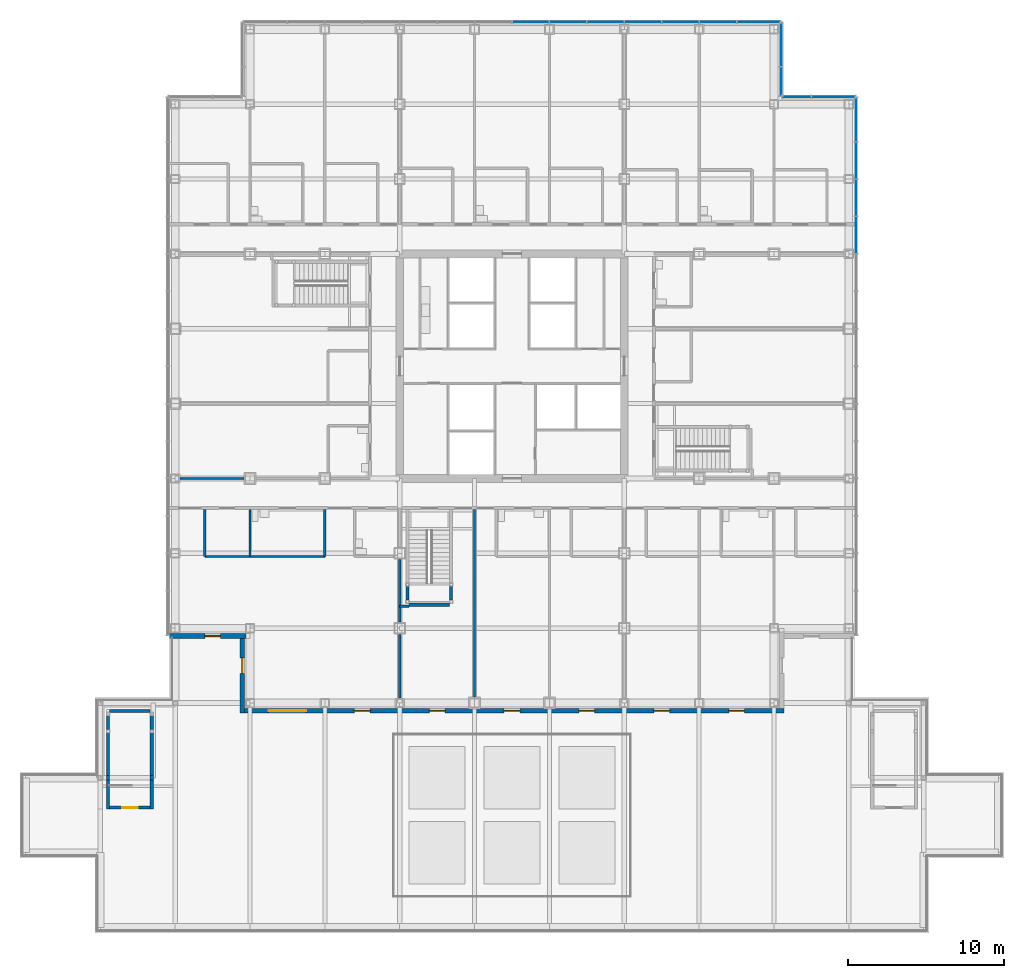
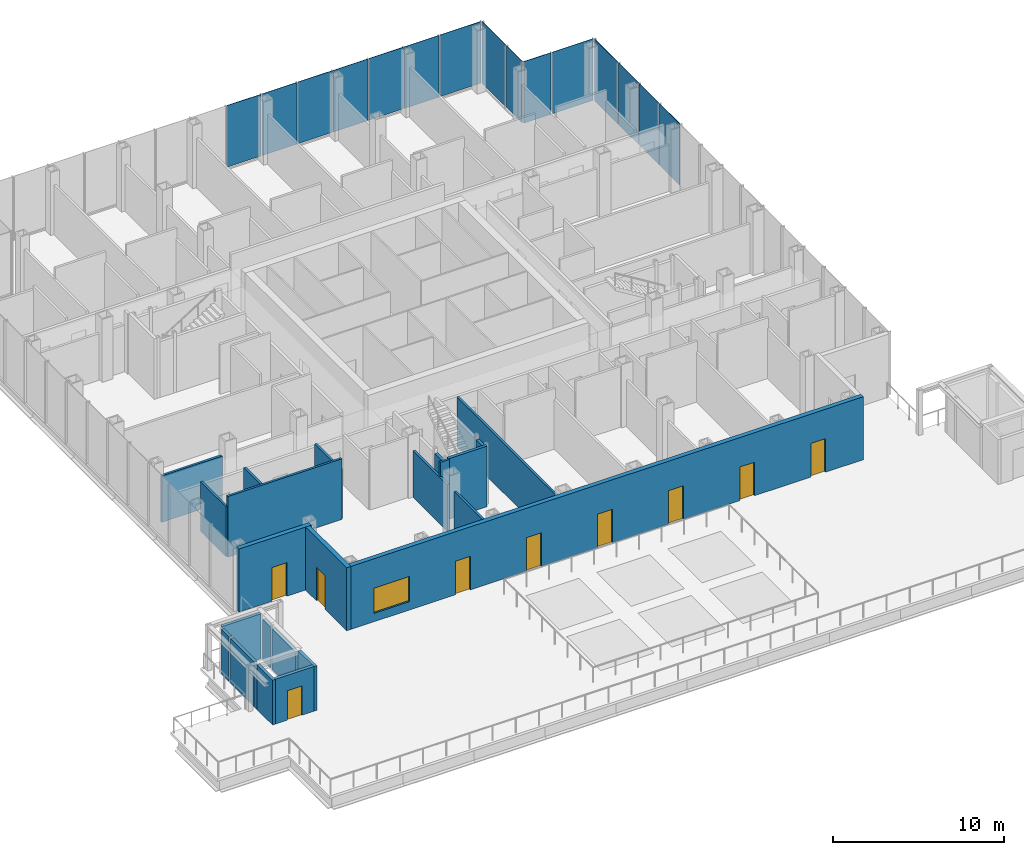
# One storey, part 15 of 24: 25 walls, 15 plates, 9 doors, 1 window, 10 openings, 4 elements without a shape of their own.
"""IFC4 building model written with IfcOpenShell, lengths in metres."""

from ifc_helpers import new_model, si_unit, direction, frame, frame_2d, origin, origin_2d, place, context, subcontext, project, spatial, rectangle, extrude, material, layer, layer_set, type_object, element, fill, aggregate, save


model = new_model("IFC4")

# Units and contexts
model_context = context("Model", 3, precision=1e-05, world=origin(), true_north=direction((0.0, 1.0)))
body_context = subcontext(model_context, "Body", "Model", "MODEL_VIEW")
ifc_project = project(units=[si_unit("LENGTHUNIT", "METRE"), si_unit("AREAUNIT", "SQUARE_METRE"), si_unit("VOLUMEUNIT", "CUBIC_METRE"), si_unit("PLANEANGLEUNIT", "RADIAN"), si_unit("MASSUNIT", "GRAM", prefix="KILO")], contexts=[model_context])

# Site, building, storey
site_placement = place(None, origin())
site = spatial("IfcSite", under=ifc_project, at=site_placement, CompositionType="ELEMENT")
building_placement = place(site_placement, origin())
building = spatial("IfcBuilding", under=site, at=building_placement, Name="Kvirike Care Tower", CompositionType="ELEMENT")
storey_placement = place(building_placement, frame((0.0, 0.0, 22.5)))
storey = spatial("IfcBuildingStorey", under=building, at=storey_placement, Name="L05", CompositionType="ELEMENT", Elevation=22.5)

# Curtain wall, plates
ifc_material_1 = material(Name="Anodised aluminium stick system", Category="aluminium")
curtain_wall_type = type_object("IfcCurtainWallType", Name="CW-P PODIUM STICK CURTAIN WALL", PredefinedType="NOTDEFINED", material=ifc_material_1)
curtain_wall_1_placement = place(storey_placement, origin())
curtain_wall_1 = element("IfcCurtainWall", 1, at=curtain_wall_1_placement, inside=storey, type_object=curtain_wall_type, Name="Curtain wall L05 face 7", PredefinedType="NOTDEFINED")
ifc_material_2 = material(Name="Tinted double glazed unit", Category="glass")
ifc_layer_1 = layer(ifc_material_2, 0.031982421875)
ifc_layer_set_1 = layer_set([ifc_layer_1], Name="PODIUM VISION PANEL 32")
plate_type = type_object("IfcPlateType", Name="PODIUM VISION PANEL 32", PredefinedType="CURTAIN_PANEL", material=ifc_layer_set_1)
plate_1_placement = place(storey_placement, frame((43.675048828125, 44.39990234375, 0.10009765625), z_axis=(0.0, 0.0, 1.0), x_axis=(0.0, 1.0, 0.0)))
plate_1 = element("IfcPlate", 2, at=plate_1_placement, type_object=plate_type, Name="CW-P panel L05 face 7.11", PredefinedType="CURTAIN_PANEL", context=body_context, shape_type="SweptSolid", body=[
    extrude(rectangle(XDim=2.3349609375, YDim=0.031982421875, at=origin_2d()), origin(), (0.0, 0.0, 1.0), 4.39990234375),
])
plate_2_placement = place(storey_placement, frame((43.675048828125, 46.800048828125, 0.10009765625), z_axis=(0.0, 0.0, 1.0), x_axis=(0.0, 1.0, 0.0)))
plate_2 = element("IfcPlate", 3, at=plate_2_placement, type_object=plate_type, Name="CW-P panel L05 face 7.12", PredefinedType="CURTAIN_PANEL", context=body_context, shape_type="SweptSolid", body=[
    extrude(rectangle(XDim=2.3349609375, YDim=0.031982421875, at=origin_2d()), origin(), (0.0, 0.0, 1.0), 4.39990234375),
])
plate_3_placement = place(storey_placement, frame((43.675048828125, 49.199951171875, 0.10009765625), z_axis=(0.0, 0.0, 1.0), x_axis=(0.0, 1.0, 0.0)))
plate_3 = element("IfcPlate", 4, at=plate_3_placement, type_object=plate_type, Name="CW-P panel L05 face 7.13", PredefinedType="CURTAIN_PANEL", context=body_context, shape_type="SweptSolid", body=[
    extrude(rectangle(XDim=2.3349609375, YDim=0.031982421875, at=origin_2d()), origin(), (0.0, 0.0, 1.0), 4.39990234375),
])
plate_4_placement = place(storey_placement, frame((43.675048828125, 51.8212890625, 0.10009765625), z_axis=(0.0, 0.0, 1.0), x_axis=(0.0, 1.0, 0.0)))
plate_4 = element("IfcPlate", 5, at=plate_4_placement, type_object=plate_type, Name="CW-P panel L05 face 7.14", PredefinedType="CURTAIN_PANEL", context=body_context, shape_type="SweptSolid", body=[
    extrude(rectangle(XDim=2.777587890625, YDim=0.031982421875, at=origin_2d()), origin(), (0.0, 0.0, 1.0), 4.39990234375),
])
aggregate(curtain_wall_1, [plate_1, plate_2, plate_3, plate_4])

curtain_wall_2_placement = place(storey_placement, origin())
curtain_wall_2 = element("IfcCurtainWall", 6, at=curtain_wall_2_placement, inside=storey, type_object=curtain_wall_type, Name="Curtain wall L05 face 8", PredefinedType="NOTDEFINED")
plate_5_placement = place(storey_placement, frame((42.22119140625, 53.27490234375, 0.10009765625), z_axis=(0.0, 0.0, 1.0), x_axis=(-1.0, 0.0, 0.0)))
plate_5 = element("IfcPlate", 7, at=plate_5_placement, type_object=plate_type, Name="CW-P panel L05 face 8.1", PredefinedType="CURTAIN_PANEL", context=body_context, shape_type="SweptSolid", body=[
    extrude(rectangle(XDim=2.777587890625, YDim=0.031982421875, at=origin_2d()), origin(), (0.0, 0.0, 1.0), 4.39990234375),
])
plate_6_placement = place(storey_placement, frame((39.853759765625, 53.27490234375, 0.10009765625), z_axis=(0.0, 0.0, 1.0), x_axis=(-1.0, 0.0, 0.0)))
plate_6 = element("IfcPlate", 8, at=plate_6_placement, type_object=plate_type, Name="CW-P panel L05 face 8.2", PredefinedType="CURTAIN_PANEL", context=body_context, shape_type="SweptSolid", body=[
    extrude(rectangle(XDim=1.827392578125, YDim=0.031982421875, at=origin_2d()), origin(), (0.0, 0.0, 1.0), 4.39990234375),
])
aggregate(curtain_wall_2, [plate_5, plate_6])

curtain_wall_3_placement = place(storey_placement, origin())
curtain_wall_3 = element("IfcCurtainWall", 9, at=curtain_wall_3_placement, inside=storey, type_object=curtain_wall_type, Name="Curtain wall L05 face 9", PredefinedType="NOTDEFINED")
plate_7_placement = place(storey_placement, frame((38.875, 54.253662109375, 0.10009765625), z_axis=(0.0, 0.0, 1.0), x_axis=(0.0, 1.0, 0.0)))
plate_7 = element("IfcPlate", 10, at=plate_7_placement, type_object=plate_type, Name="CW-P panel L05 face 9.1", PredefinedType="CURTAIN_PANEL", context=body_context, shape_type="SweptSolid", body=[
    extrude(rectangle(XDim=1.827392578125, YDim=0.031982421875, at=origin_2d()), origin(), (0.0, 0.0, 1.0), 4.39990234375),
])
plate_8_placement = place(storey_placement, frame((38.875, 56.621337890625, 0.10009765625), z_axis=(0.0, 0.0, 1.0), x_axis=(0.0, 1.0, 0.0)))
plate_8 = element("IfcPlate", 11, at=plate_8_placement, type_object=plate_type, Name="CW-P panel L05 face 9.2", PredefinedType="CURTAIN_PANEL", context=body_context, shape_type="SweptSolid", body=[
    extrude(rectangle(XDim=2.777587890625, YDim=0.031982421875, at=origin_2d()), origin(), (0.0, 0.0, 1.0), 4.39990234375),
])
aggregate(curtain_wall_3, [plate_7, plate_8])

curtain_wall_4_placement = place(storey_placement, origin())
curtain_wall_4 = element("IfcCurtainWall", 12, at=curtain_wall_4_placement, inside=storey, type_object=curtain_wall_type, Name="Curtain wall L05 face 10", PredefinedType="NOTDEFINED")
plate_9_placement = place(storey_placement, frame((37.421142578125, 58.074951171875, 0.10009765625), z_axis=(0.0, 0.0, 1.0), x_axis=(-1.0, 0.0, 0.0)))
plate_9 = element("IfcPlate", 13, at=plate_9_placement, type_object=plate_type, Name="CW-P panel L05 face 10.1", PredefinedType="CURTAIN_PANEL", context=body_context, shape_type="SweptSolid", body=[
    extrude(rectangle(XDim=2.777587890625, YDim=0.031982421875, at=origin_2d()), origin(), (0.0, 0.0, 1.0), 4.39990234375),
])
plate_10_placement = place(storey_placement, frame((34.800048828125, 58.074951171875, 0.10009765625), z_axis=(0.0, 0.0, 1.0), x_axis=(-1.0, 0.0, 0.0)))
plate_10 = element("IfcPlate", 14, at=plate_10_placement, type_object=plate_type, Name="CW-P panel L05 face 10.2", PredefinedType="CURTAIN_PANEL", context=body_context, shape_type="SweptSolid", body=[
    extrude(rectangle(XDim=2.3349609375, YDim=0.031982421875, at=origin_2d()), origin(), (0.0, 0.0, 1.0), 4.39990234375),
])
plate_11_placement = place(storey_placement, frame((32.39990234375, 58.074951171875, 0.10009765625), z_axis=(0.0, 0.0, 1.0), x_axis=(-1.0, 0.0, 0.0)))
plate_11 = element("IfcPlate", 15, at=plate_11_placement, type_object=plate_type, Name="CW-P panel L05 face 10.3", PredefinedType="CURTAIN_PANEL", context=body_context, shape_type="SweptSolid", body=[
    extrude(rectangle(XDim=2.3349609375, YDim=0.031982421875, at=origin_2d()), origin(), (0.0, 0.0, 1.0), 4.39990234375),
])
plate_12_placement = place(storey_placement, frame((30.0, 58.074951171875, 0.10009765625), z_axis=(0.0, 0.0, 1.0), x_axis=(-1.0, 0.0, 0.0)))
plate_12 = element("IfcPlate", 16, at=plate_12_placement, type_object=plate_type, Name="CW-P panel L05 face 10.4", PredefinedType="CURTAIN_PANEL", context=body_context, shape_type="SweptSolid", body=[
    extrude(rectangle(XDim=2.3349609375, YDim=0.031982421875, at=origin_2d()), origin(), (0.0, 0.0, 1.0), 4.39990234375),
])
plate_13_placement = place(storey_placement, frame((27.60009765625, 58.074951171875, 0.10009765625), z_axis=(0.0, 0.0, 1.0), x_axis=(-1.0, 0.0, 0.0)))
plate_13 = element("IfcPlate", 17, at=plate_13_placement, type_object=plate_type, Name="CW-P panel L05 face 10.5", PredefinedType="CURTAIN_PANEL", context=body_context, shape_type="SweptSolid", body=[
    extrude(rectangle(XDim=2.3349609375, YDim=0.031982421875, at=origin_2d()), origin(), (0.0, 0.0, 1.0), 4.39990234375),
])
plate_14_placement = place(storey_placement, frame((25.199951171875, 58.074951171875, 0.10009765625), z_axis=(0.0, 0.0, 1.0), x_axis=(-1.0, 0.0, 0.0)))
plate_14 = element("IfcPlate", 18, at=plate_14_placement, type_object=plate_type, Name="CW-P panel L05 face 10.6", PredefinedType="CURTAIN_PANEL", context=body_context, shape_type="SweptSolid", body=[
    extrude(rectangle(XDim=2.3349609375, YDim=0.031982421875, at=origin_2d()), origin(), (0.0, 0.0, 1.0), 4.39990234375),
])
plate_15_placement = place(storey_placement, frame((22.800048828125, 58.074951171875, 0.10009765625), z_axis=(0.0, 0.0, 1.0), x_axis=(-1.0, 0.0, 0.0)))
plate_15 = element("IfcPlate", 19, at=plate_15_placement, type_object=plate_type, Name="CW-P panel L05 face 10.7", PredefinedType="CURTAIN_PANEL", context=body_context, shape_type="SweptSolid", body=[
    extrude(rectangle(XDim=2.3349609375, YDim=0.031982421875, at=origin_2d()), origin(), (0.0, 0.0, 1.0), 4.39990234375),
])
aggregate(curtain_wall_4, [plate_9, plate_10, plate_11, plate_12, plate_13, plate_14, plate_15])

# Walls
ifc_material_3 = material(Name="Plasterboard partition", Category="gypsum")
ifc_layer_2 = layer(ifc_material_3, 0.14990234375)
ifc_layer_set_2 = layer_set([ifc_layer_2], Name="CLINIC PARTITION 150")
wall_type_1 = type_object("IfcWallType", Name="CLINIC PARTITION 150", PredefinedType="PARTITIONING", material=ifc_layer_set_2)
for number, where, z_axis, x_axis, name in (
    (20, (9.60009765625, 23.800048828125, 0.0), (0.0, 0.0, 1.0), (0.0, 1.0, 0.0), "Clinic Partition 150 L05"),
    (21, (1.89990234375, 23.800048828125, 0.0), (0.0, 0.0, 1.0), (0.0, 1.0, 0.0), "Clinic Partition 150 L05"),
):
    element("IfcWall", number, at=place(storey_placement, frame(where, z_axis=z_axis, x_axis=x_axis)), inside=storey, type_object=wall_type_1, Name=name, PredefinedType="PARTITIONING", context=body_context, shape_type="SweptSolid", body=[
        extrude(rectangle(XDim=3.0, YDim=0.14990234375, at=frame_2d((1.5, 0.0))), origin(), (0.0, 0.0, 1.0), 3.550048828125),
    ])
wall_1_placement = place(storey_placement, frame((1.89990234375, 23.800048828125, 0.0), z_axis=(0.0, 0.0, 1.0), x_axis=(1.0, 0.0, 0.0)))
element("IfcWall", 22, at=wall_1_placement, inside=storey, type_object=wall_type_1, Name="Clinic Partition 150 L05", PredefinedType="PARTITIONING", context=body_context, shape_type="SweptSolid", body=[
    extrude(rectangle(XDim=7.7001953125, YDim=0.14990234375, at=frame_2d((3.85009765625, 0.0))), origin(), (0.0, 0.0, 1.0), 4.330078125),
])
wall_2_placement = place(storey_placement, frame((4.800048828125, 23.800048828125, 0.0), z_axis=(0.0, 0.0, 1.0), x_axis=(0.0, 1.0, 0.0)))
element("IfcWall", 23, at=wall_2_placement, inside=storey, type_object=wall_type_1, Name="Clinic Partition 150 L05", PredefinedType="PARTITIONING", context=body_context, shape_type="SweptSolid", body=[
    extrude(rectangle(XDim=3.0, YDim=0.14990234375, at=frame_2d((1.5, 0.0))), origin(), (0.0, 0.0, 1.0), 3.550048828125),
])
wall_3_placement = place(storey_placement, frame((19.199951171875, 14.794921875, 0.0), z_axis=(0.0, 0.0, 1.0), x_axis=(0.0, 1.0, 0.0)))
element("IfcWall", 24, at=wall_3_placement, inside=storey, type_object=wall_type_1, Name="Clinic Partition 150 L05", PredefinedType="PARTITIONING", context=body_context, shape_type="SweptSolid", body=[
    extrude(rectangle(XDim=12.005126953125, YDim=0.14990234375, at=frame_2d((6.00244140625, 0.0))), origin(), (0.0, 0.0, 1.0), 3.550048828125),
])
wall_4_placement = place(storey_placement, frame((14.39990234375, 20.60009765625, 0.0), z_axis=(0.0, 0.0, 1.0), x_axis=(1.0, 0.0, 0.0)))
element("IfcWall", 25, at=wall_4_placement, inside=storey, type_object=wall_type_1, Name="Clinic Partition 150 L05", PredefinedType="PARTITIONING", context=body_context, shape_type="SweptSolid", body=[
    extrude(rectangle(XDim=0.60009765625, YDim=0.14990234375, at=frame_2d((0.300048828125, 0.0))), origin(), (0.0, 0.0, 1.0), 4.330078125),
])
for number, where, z_axis, x_axis, name in (
    (26, (4.405029296875, 28.800048828125, 0.0), (0.0, 0.0, 1.0), (-1.0, 0.0, 0.0), "Clinic Partition 150 L05"),
    (27, (14.39990234375, 14.719970703125, 0.0), (0.0, 0.0, 1.0), (0.0, 1.0, 0.0), "Clinic Partition 150 L05"),
):
    element("IfcWall", number, at=place(storey_placement, frame(where, z_axis=z_axis, x_axis=x_axis)), inside=storey, type_object=wall_type_1, Name=name, PredefinedType="PARTITIONING", context=body_context, shape_type="SweptSolid", body=[
        extrude(rectangle(XDim=4.0849609375, YDim=0.14990234375, at=frame_2d((2.04248046875, 0.0))), origin(), (0.0, 0.0, 1.0), 3.320068359375),
    ])
wall_5_placement = place(storey_placement, frame((14.39990234375, 19.594970703125, 0.0), z_axis=(0.0, 0.0, 1.0), x_axis=(0.0, 1.0, 0.0)))
element("IfcWall", 28, at=wall_5_placement, inside=storey, type_object=wall_type_1, Name="Clinic Partition 150 L05", PredefinedType="PARTITIONING", context=body_context, shape_type="SweptSolid", body=[
    extrude(rectangle(XDim=4.010009765625, YDim=0.14990234375, at=frame_2d((2.0048828125, 0.0))), origin(), (0.0, 0.0, 1.0), 3.320068359375),
])
ifc_material_4 = material(Name="Concrete C40/50", Category="concrete")
ifc_layer_3 = layer(ifc_material_4, 0.199951171875)
ifc_layer_set_3 = layer_set([ifc_layer_3], Name="STAIR WALL 200")
wall_type_2 = type_object("IfcWallType", Name="STAIR WALL 200", PredefinedType="SOLIDWALL", material=ifc_layer_set_3)
for number, where, z_axis, x_axis, name in (
    (29, (14.89990234375, 21.0, 0.0), (0.0, 0.0, 1.0), (0.0, 1.0, 0.0), "Stair Wall 200 L05"),
    (30, (17.699951171875, 21.0, 0.0), (0.0, 0.0, 1.0), (0.0, 1.0, 0.0), "Stair Wall 200 L05"),
):
    element("IfcWall", number, at=place(storey_placement, frame(where, z_axis=z_axis, x_axis=x_axis)), inside=storey, type_object=wall_type_2, Name=name, PredefinedType="SOLIDWALL", context=body_context, shape_type="SweptSolid", body=[
        extrude(rectangle(XDim=0.89990234375, YDim=0.199951171875, at=frame_2d((0.449951171875, 0.0))), origin(), (0.0, 0.0, 1.0), 3.989990234375),
    ])
wall_6_placement = place(storey_placement, frame((15.0, 20.699951171875, 0.0), z_axis=(0.0, 0.0, 1.0), x_axis=(1.0, 0.0, 0.0)))
element("IfcWall", 31, at=wall_6_placement, inside=storey, type_object=wall_type_2, Name="Stair Wall 200 L05", PredefinedType="SOLIDWALL", context=body_context, shape_type="SweptSolid", body=[
    extrude(rectangle(XDim=2.60009765625, YDim=0.199951171875, at=frame_2d((1.300048828125, 0.0))), origin(), (0.0, 0.0, 1.0), 4.330078125),
])
wall_7_placement = place(storey_placement, frame((-4.300048828125, 7.60009765625, 0.0), z_axis=(0.0, 0.0, 1.0), x_axis=(0.0, 1.0, 0.0)))
element("IfcWall", 32, at=wall_7_placement, inside=storey, type_object=wall_type_2, Name="Stair Wall 200 L05", PredefinedType="SOLIDWALL", context=body_context, shape_type="SweptSolid", body=[
    extrude(rectangle(XDim=1.849853515625, YDim=0.199951171875, at=frame_2d((0.9248046875, 0.0))), origin(), (0.0, 0.0, 1.0), 3.199951171875),
])
wall_8_placement = place(storey_placement, frame((-4.300048828125, 9.449951171875, 0.0), z_axis=(0.0, 0.0, 1.0), x_axis=(0.0, 1.0, 0.0)))
element("IfcWall", 33, at=wall_8_placement, inside=storey, type_object=wall_type_2, Name="Stair Wall 200 L05", PredefinedType="SOLIDWALL", context=body_context, shape_type="SweptSolid", body=[
    extrude(rectangle(XDim=0.300048828125, YDim=0.199951171875, at=frame_2d((0.14990234375, 0.0))), origin(), (0.0, 0.0, 1.0), 2.89990234375),
])
wall_9_placement = place(storey_placement, frame((-4.300048828125, 9.75, 0.0), z_axis=(0.0, 0.0, 1.0), x_axis=(0.0, 1.0, 0.0)))
element("IfcWall", 34, at=wall_9_placement, inside=storey, type_object=wall_type_2, Name="Stair Wall 200 L05", PredefinedType="SOLIDWALL", context=body_context, shape_type="SweptSolid", body=[
    extrude(rectangle(XDim=2.75, YDim=0.199951171875, at=frame_2d((1.375, 0.0))), origin(), (0.0, 0.0, 1.0), 3.199951171875),
])
wall_10_placement = place(storey_placement, frame((-4.300048828125, 12.699951171875, 0.0), z_axis=(0.0, 0.0, 1.0), x_axis=(0.0, 1.0, 0.0)))
element("IfcWall", 35, at=wall_10_placement, inside=storey, type_object=wall_type_2, Name="Stair Wall 200 L05", PredefinedType="SOLIDWALL", context=body_context, shape_type="SweptSolid", body=[
    extrude(rectangle(XDim=0.900146484375, YDim=0.199951171875, at=frame_2d((0.4501953125, 0.0))), origin(), (0.0, 0.0, 1.0), 3.199951171875),
])
wall_11_placement = place(storey_placement, frame((-1.5, 7.60009765625, 0.0), z_axis=(0.0, 0.0, 1.0), x_axis=(0.0, 1.0, 0.0)))
element("IfcWall", 36, at=wall_11_placement, inside=storey, type_object=wall_type_2, Name="Stair Wall 200 L05", PredefinedType="SOLIDWALL", context=body_context, shape_type="SweptSolid", body=[
    extrude(rectangle(XDim=1.849853515625, YDim=0.199951171875, at=frame_2d((0.9248046875, 0.0))), origin(), (0.0, 0.0, 1.0), 3.199951171875),
])
wall_12_placement = place(storey_placement, frame((-1.5, 9.449951171875, 0.0), z_axis=(0.0, 0.0, 1.0), x_axis=(0.0, 1.0, 0.0)))
element("IfcWall", 37, at=wall_12_placement, inside=storey, type_object=wall_type_2, Name="Stair Wall 200 L05", PredefinedType="SOLIDWALL", context=body_context, shape_type="SweptSolid", body=[
    extrude(rectangle(XDim=0.300048828125, YDim=0.199951171875, at=frame_2d((0.14990234375, 0.0))), origin(), (0.0, 0.0, 1.0), 2.89990234375),
])
wall_13_placement = place(storey_placement, frame((-1.5, 9.75, 0.0), z_axis=(0.0, 0.0, 1.0), x_axis=(0.0, 1.0, 0.0)))
element("IfcWall", 38, at=wall_13_placement, inside=storey, type_object=wall_type_2, Name="Stair Wall 200 L05", PredefinedType="SOLIDWALL", context=body_context, shape_type="SweptSolid", body=[
    extrude(rectangle(XDim=2.75, YDim=0.199951171875, at=frame_2d((1.375, 0.0))), origin(), (0.0, 0.0, 1.0), 2.89990234375),
])
wall_14_placement = place(storey_placement, frame((-1.5, 12.699951171875, 0.0), z_axis=(0.0, 0.0, 1.0), x_axis=(0.0, 1.0, 0.0)))
element("IfcWall", 39, at=wall_14_placement, inside=storey, type_object=wall_type_2, Name="Stair Wall 200 L05", PredefinedType="SOLIDWALL", context=body_context, shape_type="SweptSolid", body=[
    extrude(rectangle(XDim=0.900146484375, YDim=0.199951171875, at=frame_2d((0.4501953125, 0.0))), origin(), (0.0, 0.0, 1.0), 2.89990234375),
])
wall_15_placement = place(storey_placement, frame((-4.199951171875, 13.89990234375, 0.0), z_axis=(0.0, 0.0, 1.0), x_axis=(1.0, 0.0, 0.0)))
element("IfcWall", 40, at=wall_15_placement, inside=storey, type_object=wall_type_2, Name="Stair Wall 200 L05", PredefinedType="SOLIDWALL", context=body_context, shape_type="SweptSolid", body=[
    extrude(rectangle(XDim=2.599853515625, YDim=0.199951171875, at=frame_2d((1.2998046875, 0.0))), origin(), (0.0, 0.0, 1.0), 3.199951171875),
])

# Wall, opening, door
wall_16_placement = place(storey_placement, frame((-4.199951171875, 7.699951171875, 0.0), z_axis=(0.0, 0.0, 1.0), x_axis=(1.0, 0.0, 0.0)))
wall_16 = element("IfcWall", 41, at=wall_16_placement, inside=storey, type_object=wall_type_2, Name="Stair Wall 200 L05", PredefinedType="SOLIDWALL", context=body_context, shape_type="SweptSolid", body=[
    extrude(rectangle(XDim=2.599853515625, YDim=0.199951171875, at=frame_2d((1.2998046875, 0.0))), origin(), (0.0, 0.0, 1.0), 3.199951171875),
])
opening_1_placement = place(wall_16_placement, frame((0.800048828125, 0.0, 0.0)))
opening_1 = element("IfcOpeningElement", 42, at=opening_1_placement, cuts=wall_16, Name="Opening 05-047", PredefinedType="OPENING", context=body_context, shape_type="SweptSolid", body=[
    extrude(rectangle(XDim=1.0, YDim=2.10009765625, at=frame_2d((0.5, 1.050048828125))), frame((0.0, 0.110595703125, 0.0), z_axis=(0.0, -1.0, 0.0), x_axis=(1.0, 0.0, 0.0)), (0.0, 0.0, 1.0), 0.220947265625),
])
ifc_material_5 = material(Name="Timber door set", Category="wood")
door_type_1 = type_object("IfcDoorType", Name="STAIR DOOR 1000", OperationType="SINGLE_SWING_LEFT", PredefinedType="DOOR", material=ifc_material_5)
door_1_placement = place(opening_1_placement, origin())
door_1 = element("IfcDoor", 43, at=door_1_placement, inside=storey, type_object=door_type_1, Name="Stair 3 terrace door", OperationType="SINGLE_SWING_LEFT", OverallHeight=2.10009765625, OverallWidth=1.0, PredefinedType="DOOR", context=body_context, shape_type="SweptSolid", body=[
    extrude(rectangle(XDim=1.0, YDim=2.10009765625, at=frame_2d((0.5, 1.050048828125))), frame((0.0, 0.031982421875, 0.0), z_axis=(0.0, -1.0, 0.0), x_axis=(1.0, 0.0, 0.0)), (0.0, 0.0, 1.0), 0.06396484375),
])
fill(opening_1, door_1)

ifc_material_6 = material(Name="Bronze-clad insulated blockwork wall", Category="masonry")
ifc_layer_4 = layer(ifc_material_6, 0.300048828125)
ifc_layer_set_4 = layer_set([ifc_layer_4], Name="TERRACE WALL 300")
wall_type_3 = type_object("IfcWallType", Name="TERRACE WALL 300", PredefinedType="SOLIDWALL", material=ifc_layer_set_4)
wall_17_placement = place(storey_placement, frame((-0.35009765625, 18.699951171875, 0.0), z_axis=(0.0, 0.0, 1.0), x_axis=(1.0, 0.0, 0.0)))
wall_17 = element("IfcWall", 44, at=wall_17_placement, inside=storey, type_object=wall_type_3, Name="Terrace wall L05 face 2", PredefinedType="SOLIDWALL", context=body_context, shape_type="SweptSolid", body=[
    extrude(rectangle(XDim=4.900146484375, YDim=0.300048828125, at=frame_2d((2.4501953125, 0.0))), origin(), (0.0, 0.0, 1.0), 4.5),
])
opening_2_placement = place(wall_17_placement, frame((2.25, 0.0, 0.0)))
opening_2 = element("IfcOpeningElement", 45, at=opening_2_placement, cuts=wall_17, Name="Opening 05-801", PredefinedType="OPENING", context=body_context, shape_type="SweptSolid", body=[
    extrude(rectangle(XDim=1.0, YDim=2.39990234375, at=frame_2d((0.5, 1.199951171875))), frame((0.0, 0.16064453125, 0.0), z_axis=(0.0, -1.0, 0.0), x_axis=(1.0, 0.0, 0.0)), (0.0, 0.0, 1.0), 0.321044921875),
])
ifc_material_7 = material(Name="Aluminium door frame", Category="aluminium")
door_type_2 = type_object("IfcDoorType", Name="TERRACE DOOR 1000", OperationType="SINGLE_SWING_LEFT", PredefinedType="DOOR", material=ifc_material_7)
door_2_placement = place(opening_2_placement, origin())
door_2 = element("IfcDoor", 46, at=door_2_placement, inside=storey, type_object=door_type_2, Name="Rehabilitation lounge terrace door", OperationType="SINGLE_SWING_LEFT", OverallHeight=2.39990234375, OverallWidth=1.0, PredefinedType="DOOR", context=body_context, shape_type="SweptSolid", body=[
    extrude(rectangle(XDim=1.0, YDim=2.39990234375, at=frame_2d((0.5, 1.199951171875))), frame((0.0, 0.03515625, 0.0), z_axis=(0.0, -1.0, 0.0), x_axis=(1.0, 0.0, 0.0)), (0.0, 0.0, 1.0), 0.070068359375),
])
fill(opening_2, door_2)

wall_18_placement = place(storey_placement, frame((4.300048828125, 18.550048828125, 0.0), z_axis=(0.0, 0.0, 1.0), x_axis=(0.0, -1.0, 0.0)))
wall_18 = element("IfcWall", 47, at=wall_18_placement, inside=storey, type_object=wall_type_3, Name="Terrace wall L05 face 3", PredefinedType="SOLIDWALL", context=body_context, shape_type="SweptSolid", body=[
    extrude(rectangle(XDim=4.800048828125, YDim=0.300048828125, at=frame_2d((2.39990234375, 0.0))), origin(), (0.0, 0.0, 1.0), 4.5),
])
opening_3_placement = place(wall_18_placement, frame((1.25, 0.0, 0.0)))
opening_3 = element("IfcOpeningElement", 48, at=opening_3_placement, cuts=wall_18, Name="Opening 05-802", PredefinedType="OPENING", context=body_context, shape_type="SweptSolid", body=[
    extrude(rectangle(XDim=1.0, YDim=2.39990234375, at=frame_2d((0.5, 1.199951171875))), frame((0.0, 0.16064453125, 0.0), z_axis=(0.0, -1.0, 0.0), x_axis=(1.0, 0.0, 0.0)), (0.0, 0.0, 1.0), 0.321044921875),
])
door_3_placement = place(opening_3_placement, origin())
door_3 = element("IfcDoor", 49, at=door_3_placement, inside=storey, type_object=door_type_2, Name="Rehabilitation lounge terrace door", OperationType="SINGLE_SWING_LEFT", OverallHeight=2.39990234375, OverallWidth=1.0, PredefinedType="DOOR", context=body_context, shape_type="SweptSolid", body=[
    extrude(rectangle(XDim=1.0, YDim=2.39990234375, at=frame_2d((0.5, 1.199951171875))), frame((0.0, 0.03515625, 0.0), z_axis=(0.0, -1.0, 0.0), x_axis=(1.0, 0.0, 0.0)), (0.0, 0.0, 1.0), 0.070068359375),
])
fill(opening_3, door_3)

# Wall, openings, doors, window
wall_19_placement = place(storey_placement, frame((4.449951171875, 13.89990234375, 0.0), z_axis=(0.0, 0.0, 1.0), x_axis=(1.0, 0.0, 0.0)))
wall_19 = element("IfcWall", 50, at=wall_19_placement, inside=storey, type_object=wall_type_3, Name="Terrace wall L05 face 4", PredefinedType="SOLIDWALL", context=body_context, shape_type="SweptSolid", body=[
    extrude(rectangle(XDim=34.60009765625, YDim=0.300048828125, at=frame_2d((17.300048828125, 0.0))), origin(), (0.0, 0.0, 1.0), 4.5),
])
opening_4_placement = place(wall_19_placement, frame((7.050048828125, 0.0, 0.0)))
opening_4 = element("IfcOpeningElement", 51, at=opening_4_placement, cuts=wall_19, Name="Opening 05-803", PredefinedType="OPENING", context=body_context, shape_type="SweptSolid", body=[
    extrude(rectangle(XDim=1.0, YDim=2.39990234375, at=frame_2d((0.5, 1.199951171875))), frame((0.0, 0.16064453125, 0.0), z_axis=(0.0, -1.0, 0.0), x_axis=(1.0, 0.0, 0.0)), (0.0, 0.0, 1.0), 0.321044921875),
])
opening_5_placement = place(wall_19_placement, frame((11.85009765625, 0.0, 0.0)))
opening_5 = element("IfcOpeningElement", 52, at=opening_5_placement, cuts=wall_19, Name="Opening 05-804", PredefinedType="OPENING", context=body_context, shape_type="SweptSolid", body=[
    extrude(rectangle(XDim=1.0, YDim=2.39990234375, at=frame_2d((0.5, 1.199951171875))), frame((0.0, 0.16064453125, 0.0), z_axis=(0.0, -1.0, 0.0), x_axis=(1.0, 0.0, 0.0)), (0.0, 0.0, 1.0), 0.321044921875),
])
opening_6_placement = place(wall_19_placement, frame((16.64990234375, 0.0, 0.0)))
opening_6 = element("IfcOpeningElement", 53, at=opening_6_placement, cuts=wall_19, Name="Opening 05-805", PredefinedType="OPENING", context=body_context, shape_type="SweptSolid", body=[
    extrude(rectangle(XDim=1.0, YDim=2.39990234375, at=frame_2d((0.5, 1.199951171875))), frame((0.0, 0.16064453125, 0.0), z_axis=(0.0, -1.0, 0.0), x_axis=(1.0, 0.0, 0.0)), (0.0, 0.0, 1.0), 0.321044921875),
])
opening_7_placement = place(wall_19_placement, frame((21.449951171875, 0.0, 0.0)))
opening_7 = element("IfcOpeningElement", 54, at=opening_7_placement, cuts=wall_19, Name="Opening 05-806", PredefinedType="OPENING", context=body_context, shape_type="SweptSolid", body=[
    extrude(rectangle(XDim=1.0, YDim=2.39990234375, at=frame_2d((0.5, 1.199951171875))), frame((0.0, 0.16064453125, 0.0), z_axis=(0.0, -1.0, 0.0), x_axis=(1.0, 0.0, 0.0)), (0.0, 0.0, 1.0), 0.321044921875),
])
opening_8_placement = place(wall_19_placement, frame((26.25, 0.0, 0.0)))
opening_8 = element("IfcOpeningElement", 55, at=opening_8_placement, cuts=wall_19, Name="Opening 05-807", PredefinedType="OPENING", context=body_context, shape_type="SweptSolid", body=[
    extrude(rectangle(XDim=1.0, YDim=2.39990234375, at=frame_2d((0.5, 1.199951171875))), frame((0.0, 0.16064453125, 0.0), z_axis=(0.0, -1.0, 0.0), x_axis=(1.0, 0.0, 0.0)), (0.0, 0.0, 1.0), 0.321044921875),
])
opening_9_placement = place(wall_19_placement, frame((31.050048828125, 0.0, 0.0)))
opening_9 = element("IfcOpeningElement", 56, at=opening_9_placement, cuts=wall_19, Name="Opening 05-808", PredefinedType="OPENING", context=body_context, shape_type="SweptSolid", body=[
    extrude(rectangle(XDim=1.0, YDim=2.39990234375, at=frame_2d((0.5, 1.199951171875))), frame((0.0, 0.16064453125, 0.0), z_axis=(0.0, -1.0, 0.0), x_axis=(1.0, 0.0, 0.0)), (0.0, 0.0, 1.0), 0.321044921875),
])
opening_10_placement = place(wall_19_placement, frame((1.550048828125, 0.0, 0.60009765625)))
opening_10 = element("IfcOpeningElement", 57, at=opening_10_placement, cuts=wall_19, Name="Opening W01", PredefinedType="OPENING", context=body_context, shape_type="SweptSolid", body=[
    extrude(rectangle(XDim=2.39990234375, YDim=1.800048828125, at=frame_2d((1.199951171875, 0.89990234375))), frame((0.0, 0.16064453125, 0.0), z_axis=(0.0, -1.0, 0.0), x_axis=(1.0, 0.0, 0.0)), (0.0, 0.0, 1.0), 0.321044921875),
])
door_4_placement = place(opening_4_placement, origin())
door_4 = element("IfcDoor", 58, at=door_4_placement, inside=storey, type_object=door_type_2, Name="Rehabilitation lounge terrace door", OperationType="SINGLE_SWING_LEFT", OverallHeight=2.39990234375, OverallWidth=1.0, PredefinedType="DOOR", context=body_context, shape_type="SweptSolid", body=[
    extrude(rectangle(XDim=1.0, YDim=2.39990234375, at=frame_2d((0.5, 1.199951171875))), frame((0.0, 0.03515625, 0.0), z_axis=(0.0, -1.0, 0.0), x_axis=(1.0, 0.0, 0.0)), (0.0, 0.0, 1.0), 0.070068359375),
])
fill(opening_4, door_4)
door_5_placement = place(opening_5_placement, origin())
door_5 = element("IfcDoor", 59, at=door_5_placement, inside=storey, type_object=door_type_2, Name="Rehabilitation lounge terrace door", OperationType="SINGLE_SWING_LEFT", OverallHeight=2.39990234375, OverallWidth=1.0, PredefinedType="DOOR", context=body_context, shape_type="SweptSolid", body=[
    extrude(rectangle(XDim=1.0, YDim=2.39990234375, at=frame_2d((0.5, 1.199951171875))), frame((0.0, 0.03515625, 0.0), z_axis=(0.0, -1.0, 0.0), x_axis=(1.0, 0.0, 0.0)), (0.0, 0.0, 1.0), 0.070068359375),
])
fill(opening_5, door_5)
door_6_placement = place(opening_6_placement, origin())
door_6 = element("IfcDoor", 60, at=door_6_placement, inside=storey, type_object=door_type_2, Name="Therapy office terrace door", OperationType="SINGLE_SWING_LEFT", OverallHeight=2.39990234375, OverallWidth=1.0, PredefinedType="DOOR", context=body_context, shape_type="SweptSolid", body=[
    extrude(rectangle(XDim=1.0, YDim=2.39990234375, at=frame_2d((0.5, 1.199951171875))), frame((0.0, 0.03515625, 0.0), z_axis=(0.0, -1.0, 0.0), x_axis=(1.0, 0.0, 0.0)), (0.0, 0.0, 1.0), 0.070068359375),
])
fill(opening_6, door_6)
door_7_placement = place(opening_7_placement, origin())
door_7 = element("IfcDoor", 61, at=door_7_placement, inside=storey, type_object=door_type_2, Name="Therapy office terrace door", OperationType="SINGLE_SWING_LEFT", OverallHeight=2.39990234375, OverallWidth=1.0, PredefinedType="DOOR", context=body_context, shape_type="SweptSolid", body=[
    extrude(rectangle(XDim=1.0, YDim=2.39990234375, at=frame_2d((0.5, 1.199951171875))), frame((0.0, 0.03515625, 0.0), z_axis=(0.0, -1.0, 0.0), x_axis=(1.0, 0.0, 0.0)), (0.0, 0.0, 1.0), 0.070068359375),
])
fill(opening_7, door_7)
door_8_placement = place(opening_8_placement, origin())
door_8 = element("IfcDoor", 62, at=door_8_placement, inside=storey, type_object=door_type_2, Name="Garden room terrace door", OperationType="SINGLE_SWING_LEFT", OverallHeight=2.39990234375, OverallWidth=1.0, PredefinedType="DOOR", context=body_context, shape_type="SweptSolid", body=[
    extrude(rectangle(XDim=1.0, YDim=2.39990234375, at=frame_2d((0.5, 1.199951171875))), frame((0.0, 0.03515625, 0.0), z_axis=(0.0, -1.0, 0.0), x_axis=(1.0, 0.0, 0.0)), (0.0, 0.0, 1.0), 0.070068359375),
])
fill(opening_8, door_8)
door_9_placement = place(opening_9_placement, origin())
door_9 = element("IfcDoor", 63, at=door_9_placement, inside=storey, type_object=door_type_2, Name="Garden room terrace door", OperationType="SINGLE_SWING_LEFT", OverallHeight=2.39990234375, OverallWidth=1.0, PredefinedType="DOOR", context=body_context, shape_type="SweptSolid", body=[
    extrude(rectangle(XDim=1.0, YDim=2.39990234375, at=frame_2d((0.5, 1.199951171875))), frame((0.0, 0.03515625, 0.0), z_axis=(0.0, -1.0, 0.0), x_axis=(1.0, 0.0, 0.0)), (0.0, 0.0, 1.0), 0.070068359375),
])
fill(opening_9, door_9)
ifc_material_8 = material(Name="Bronze anodised aluminium window", Category="aluminium")
window_type = type_object("IfcWindowType", Name="TERRACE WINDOW 2400", PartitioningType="SINGLE_PANEL", PredefinedType="WINDOW", material=ifc_material_8)
window_placement = place(opening_10_placement, origin())
window = element("IfcWindow", 64, at=window_placement, inside=storey, type_object=window_type, Name="Terrace Window 2400 L05", OverallHeight=1.800048828125, OverallWidth=2.39990234375, PartitioningType="SINGLE_PANEL", PredefinedType="WINDOW", context=body_context, shape_type="SweptSolid", body=[
    extrude(rectangle(XDim=2.39990234375, YDim=1.800048828125, at=frame_2d((1.199951171875, 0.89990234375))), frame((0.0, 0.030029296875, 0.0), z_axis=(0.0, -1.0, 0.0), x_axis=(1.0, 0.0, 0.0)), (0.0, 0.0, 1.0), 0.06005859375),
])
fill(opening_10, window)

save(model, "model.ifc")
